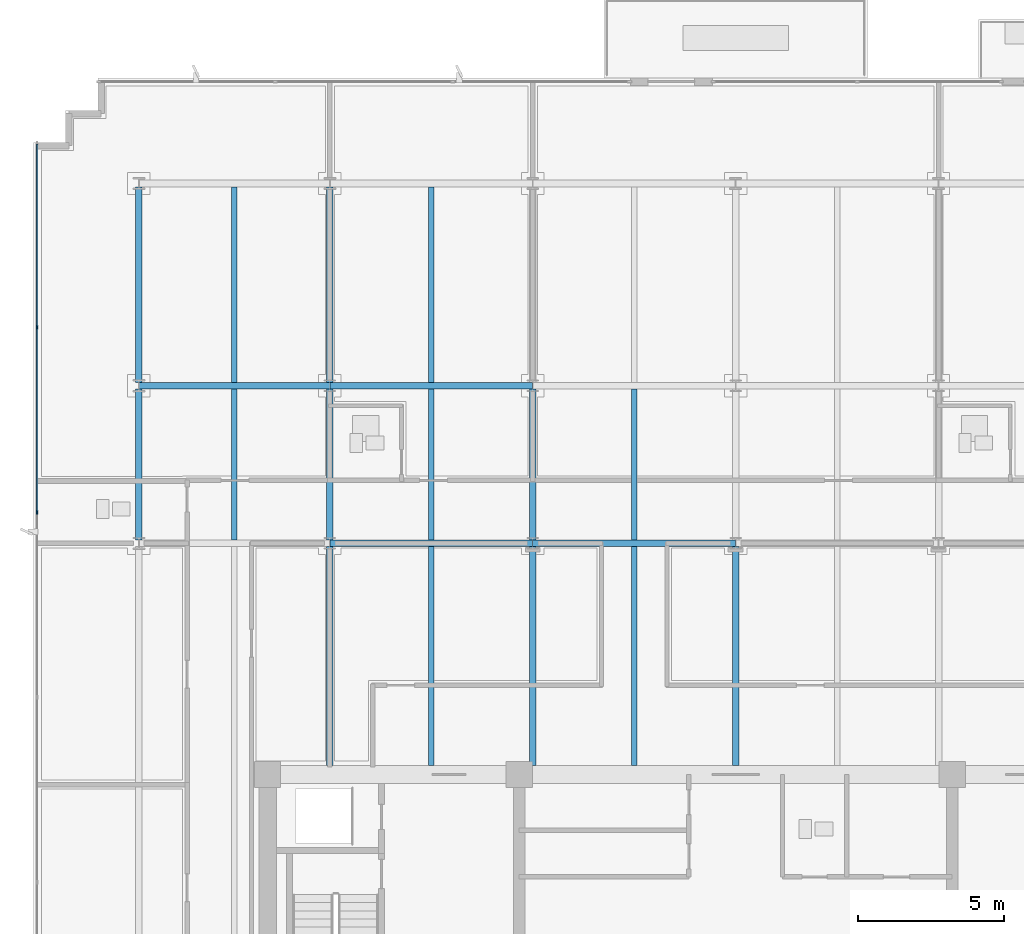
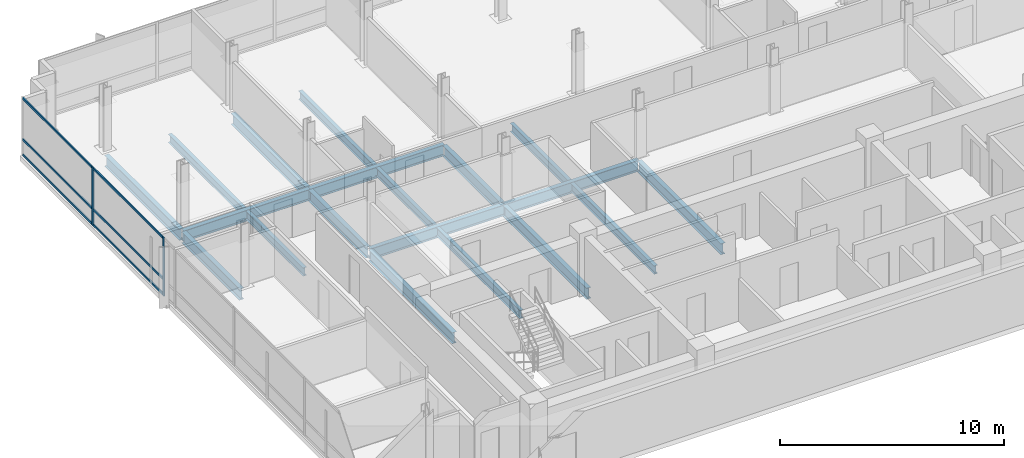
# One storey, part 4 of 19: 19 beams, 8 members, 1 element without a shape of its own.
"""IFC4 building model written with IfcOpenShell, lengths in metres."""

from ifc_helpers import new_model, si_unit, direction, frame, origin, origin_2d, place, context, subcontext, project, spatial, rectangle, i_section, extrude, material, material_profile, profile_set, type_object, element, aggregate, save


model = new_model("IFC4")

# Units and contexts
model_context = context("Model", 3, precision=1e-05, world=origin(), true_north=direction((0.0, 1.0)))
body_context = subcontext(model_context, "Body", "Model", "MODEL_VIEW")
ifc_project = project(units=[si_unit("LENGTHUNIT", "METRE"), si_unit("AREAUNIT", "SQUARE_METRE"), si_unit("VOLUMEUNIT", "CUBIC_METRE"), si_unit("PLANEANGLEUNIT", "RADIAN"), si_unit("MASSUNIT", "GRAM", prefix="KILO")], contexts=[model_context])

# Site, building, storey
site_placement = place(None, origin())
site = spatial("IfcSite", under=ifc_project, at=site_placement, CompositionType="ELEMENT")
building_placement = place(site_placement, origin())
building = spatial("IfcBuilding", under=site, at=building_placement, Name="Solmavex Isthmus Hotel", CompositionType="ELEMENT")
storey_placement = place(building_placement, frame((0.0, 0.0, 262.64990234375)))
storey = spatial("IfcBuildingStorey", under=building, at=storey_placement, Name="L71", CompositionType="ELEMENT", Elevation=262.64990234375)

# Beams
ifc_material_1 = material(Name="Steel ASTM A992 Grade 50", Category="steel")
ifc_material_profile_1 = material_profile(ifc_material_1, i_section(OverallWidth=0.1904296875, OverallDepth=0.456787109375, WebThickness=0.009033203125, FlangeThickness=0.014404296875, FilletRadius=0.0126953125, at=origin_2d()), Name="W18X50")
ifc_profile_set_1 = profile_set([ifc_material_profile_1], Name="Steel ASTM A992 Grade 50")
beam_type_1 = type_object("IfcBeamType", Name="BM-BJ-W18X50", PredefinedType="JOIST", material=ifc_profile_set_1)
beam_1_placement = place(storey_placement, frame((-17.135986328125, 5.513916015625, -0.48828125), z_axis=(0.0, 1.0, 0.0), x_axis=(-1.0, 0.0, 0.0)))
element("IfcBeam", 1, at=beam_1_placement, inside=storey, type_object=beam_type_1, Name="Secondary Floor Joist L71-J02", PredefinedType="JOIST", context=body_context, shape_type="SweptSolid", body=[
    extrude(i_section(OverallWidth=0.1904296875, OverallDepth=0.456787109375, WebThickness=0.009033203125, FlangeThickness=0.014404296875, FilletRadius=0.0126953125, at=origin_2d()), origin(), (0.0, 0.0, 1.0), 5.16015625),
])
beam_2_placement = place(storey_placement, frame((-17.135986328125, 10.90185546875, -0.48828125), z_axis=(0.0, 1.0, 0.0), x_axis=(-1.0, 0.0, 0.0)))
element("IfcBeam", 2, at=beam_2_placement, inside=storey, type_object=beam_type_1, Name="Secondary Floor Joist L71-J03", PredefinedType="JOIST", context=body_context, shape_type="SweptSolid", body=[
    extrude(i_section(OverallWidth=0.1904296875, OverallDepth=0.456787109375, WebThickness=0.009033203125, FlangeThickness=0.014404296875, FilletRadius=0.0126953125, at=origin_2d()), origin(), (0.0, 0.0, 1.0), 6.682861328125),
])
beam_3_placement = place(storey_placement, frame((-10.404052734375, -2.199951171875, -0.48828125), z_axis=(0.0, 1.0, 0.0), x_axis=(-1.0, 0.0, 0.0)))
element("IfcBeam", 3, at=beam_3_placement, inside=storey, type_object=beam_type_1, Name="Secondary Floor Joist L71-J04", PredefinedType="JOIST", context=body_context, shape_type="SweptSolid", body=[
    extrude(i_section(OverallWidth=0.1904296875, OverallDepth=0.456787109375, WebThickness=0.009033203125, FlangeThickness=0.014404296875, FilletRadius=0.0126953125, at=origin_2d()), origin(), (0.0, 0.0, 1.0), 7.486083984375),
])
beam_4_placement = place(storey_placement, frame((-10.404052734375, 5.513916015625, -0.48828125), z_axis=(0.0, 1.0, 0.0), x_axis=(-1.0, 0.0, 0.0)))
element("IfcBeam", 4, at=beam_4_placement, inside=storey, type_object=beam_type_1, Name="Secondary Floor Joist L71-J05", PredefinedType="JOIST", context=body_context, shape_type="SweptSolid", body=[
    extrude(i_section(OverallWidth=0.1904296875, OverallDepth=0.456787109375, WebThickness=0.009033203125, FlangeThickness=0.014404296875, FilletRadius=0.0126953125, at=origin_2d()), origin(), (0.0, 0.0, 1.0), 5.16015625),
])
beam_5_placement = place(storey_placement, frame((-10.404052734375, 10.90185546875, -0.48828125), z_axis=(0.0, 1.0, 0.0), x_axis=(-1.0, 0.0, 0.0)))
element("IfcBeam", 5, at=beam_5_placement, inside=storey, type_object=beam_type_1, Name="Secondary Floor Joist L71-J06", PredefinedType="JOIST", context=body_context, shape_type="SweptSolid", body=[
    extrude(i_section(OverallWidth=0.1904296875, OverallDepth=0.456787109375, WebThickness=0.009033203125, FlangeThickness=0.014404296875, FilletRadius=0.0126953125, at=origin_2d()), origin(), (0.0, 0.0, 1.0), 6.682861328125),
])
beam_6_placement = place(storey_placement, frame((-3.468017578125, -2.199951171875, -0.48828125), z_axis=(0.0, 1.0, 0.0), x_axis=(-1.0, 0.0, 0.0)))
element("IfcBeam", 6, at=beam_6_placement, inside=storey, type_object=beam_type_1, Name="Secondary Floor Joist L71-J07", PredefinedType="JOIST", context=body_context, shape_type="SweptSolid", body=[
    extrude(i_section(OverallWidth=0.1904296875, OverallDepth=0.456787109375, WebThickness=0.009033203125, FlangeThickness=0.014404296875, FilletRadius=0.0126953125, at=origin_2d()), origin(), (0.0, 0.0, 1.0), 7.486083984375),
])
beam_7_placement = place(storey_placement, frame((-3.468017578125, 5.513916015625, -0.48828125), z_axis=(0.0, 1.0, 0.0), x_axis=(-1.0, 0.0, 0.0)))
element("IfcBeam", 7, at=beam_7_placement, inside=storey, type_object=beam_type_1, Name="Secondary Floor Joist L71-J08", PredefinedType="JOIST", context=body_context, shape_type="SweptSolid", body=[
    extrude(i_section(OverallWidth=0.1904296875, OverallDepth=0.456787109375, WebThickness=0.009033203125, FlangeThickness=0.014404296875, FilletRadius=0.0126953125, at=origin_2d()), origin(), (0.0, 0.0, 1.0), 5.16015625),
])
ifc_material_profile_2 = material_profile(ifc_material_1, i_section(OverallWidth=0.227783203125, OverallDepth=0.602783203125, WebThickness=0.010498046875, FlangeThickness=0.014892578125, FilletRadius=0.01513671875, at=origin_2d()), Name="W24X68")
ifc_profile_set_2 = profile_set([ifc_material_profile_2], Name="Steel ASTM A992 Grade 50")
beam_type_2 = type_object("IfcBeamType", Name="BM-BM-W24X68", PredefinedType="BEAM", material=ifc_profile_set_2)
for number, where, z_axis, x_axis, name in (
    (8, (-13.8720703125, 5.39990234375, -0.561279296875), (1.0, 0.0, 0.0), (0.0, 1.0, 0.0), "Floor Girder L71-UG04"),
    (9, (-6.93603515625, 5.39990234375, -0.561279296875), (1.0, 0.0, 0.0), (0.0, 1.0, 0.0), "Floor Girder L71-UG05"),
):
    element("IfcBeam", number, at=place(storey_placement, frame(where, z_axis=z_axis, x_axis=x_axis)), inside=storey, type_object=beam_type_2, Name=name, PredefinedType="BEAM", context=body_context, shape_type="SweptSolid", body=[
        extrude(i_section(OverallWidth=0.227783203125, OverallDepth=0.602783203125, WebThickness=0.010498046875, FlangeThickness=0.014892578125, FilletRadius=0.01513671875, at=origin_2d()), origin(), (0.0, 0.0, 1.0), 6.93603515625),
    ])
beam_8_placement = place(storey_placement, frame((-20.39990234375, 10.7880859375, -0.561279296875), z_axis=(1.0, 0.0, 0.0), x_axis=(0.0, 1.0, 0.0)))
element("IfcBeam", 10, at=beam_8_placement, inside=storey, type_object=beam_type_2, Name="Floor Girder L71-UG09", PredefinedType="BEAM", context=body_context, shape_type="SweptSolid", body=[
    extrude(i_section(OverallWidth=0.227783203125, OverallDepth=0.602783203125, WebThickness=0.010498046875, FlangeThickness=0.014892578125, FilletRadius=0.01513671875, at=origin_2d()), origin(), (0.0, 0.0, 1.0), 6.52783203125),
])
beam_9_placement = place(storey_placement, frame((-13.8720703125, 10.7880859375, -0.561279296875), z_axis=(1.0, 0.0, 0.0), x_axis=(0.0, 1.0, 0.0)))
element("IfcBeam", 11, at=beam_9_placement, inside=storey, type_object=beam_type_2, Name="Floor Girder L71-UG10", PredefinedType="BEAM", context=body_context, shape_type="SweptSolid", body=[
    extrude(i_section(OverallWidth=0.227783203125, OverallDepth=0.602783203125, WebThickness=0.010498046875, FlangeThickness=0.014892578125, FilletRadius=0.01513671875, at=origin_2d()), origin(), (0.0, 0.0, 1.0), 6.93603515625),
])
beam_10_placement = place(storey_placement, frame((-13.8720703125, -2.199951171875, -0.561279296875), z_axis=(0.0, 1.0, 0.0), x_axis=(-1.0, 0.0, 0.0)))
element("IfcBeam", 12, at=beam_10_placement, inside=storey, type_object=beam_type_2, Name="Floor Beam L71-VG24", PredefinedType="BEAM", context=body_context, shape_type="SweptSolid", body=[
    extrude(i_section(OverallWidth=0.227783203125, OverallDepth=0.602783203125, WebThickness=0.010498046875, FlangeThickness=0.014892578125, FilletRadius=0.01513671875, at=origin_2d()), origin(), (0.0, 0.0, 1.0), 7.486083984375),
])
beam_11_placement = place(storey_placement, frame((-13.8720703125, 5.513916015625, -0.561279296875), z_axis=(0.0, 1.0, 0.0), x_axis=(-1.0, 0.0, 0.0)))
element("IfcBeam", 13, at=beam_11_placement, inside=storey, type_object=beam_type_2, Name="Floor Beam L71-VG25", PredefinedType="BEAM", context=body_context, shape_type="SweptSolid", body=[
    extrude(i_section(OverallWidth=0.227783203125, OverallDepth=0.602783203125, WebThickness=0.010498046875, FlangeThickness=0.014892578125, FilletRadius=0.01513671875, at=origin_2d()), origin(), (0.0, 0.0, 1.0), 5.16015625),
])
beam_12_placement = place(storey_placement, frame((-13.8720703125, 10.90185546875, -0.561279296875), z_axis=(0.0, 1.0, 0.0), x_axis=(-1.0, 0.0, 0.0)))
element("IfcBeam", 14, at=beam_12_placement, inside=storey, type_object=beam_type_2, Name="Floor Beam L71-VG26", PredefinedType="BEAM", context=body_context, shape_type="SweptSolid", body=[
    extrude(i_section(OverallWidth=0.227783203125, OverallDepth=0.602783203125, WebThickness=0.010498046875, FlangeThickness=0.014892578125, FilletRadius=0.01513671875, at=origin_2d()), origin(), (0.0, 0.0, 1.0), 6.682861328125),
])
beam_13_placement = place(storey_placement, frame((-6.93603515625, -2.199951171875, -0.561279296875), z_axis=(0.0, 1.0, 0.0), x_axis=(-1.0, 0.0, 0.0)))
element("IfcBeam", 15, at=beam_13_placement, inside=storey, type_object=beam_type_2, Name="Floor Beam L71-VG27", PredefinedType="BEAM", context=body_context, shape_type="SweptSolid", body=[
    extrude(i_section(OverallWidth=0.227783203125, OverallDepth=0.602783203125, WebThickness=0.010498046875, FlangeThickness=0.014892578125, FilletRadius=0.01513671875, at=origin_2d()), origin(), (0.0, 0.0, 1.0), 7.486083984375),
])
beam_14_placement = place(storey_placement, frame((-6.93603515625, 5.513916015625, -0.561279296875), z_axis=(0.0, 1.0, 0.0), x_axis=(-1.0, 0.0, 0.0)))
element("IfcBeam", 16, at=beam_14_placement, inside=storey, type_object=beam_type_2, Name="Floor Beam L71-VG28", PredefinedType="BEAM", context=body_context, shape_type="SweptSolid", body=[
    extrude(i_section(OverallWidth=0.227783203125, OverallDepth=0.602783203125, WebThickness=0.010498046875, FlangeThickness=0.014892578125, FilletRadius=0.01513671875, at=origin_2d()), origin(), (0.0, 0.0, 1.0), 5.16015625),
])
beam_15_placement = place(storey_placement, frame((0.0, -2.199951171875, -0.561279296875), z_axis=(0.0, 1.0, 0.0), x_axis=(-1.0, 0.0, 0.0)))
element("IfcBeam", 17, at=beam_15_placement, inside=storey, type_object=beam_type_2, Name="Floor Beam L71-VG30", PredefinedType="BEAM", context=body_context, shape_type="SweptSolid", body=[
    extrude(i_section(OverallWidth=0.227783203125, OverallDepth=0.602783203125, WebThickness=0.010498046875, FlangeThickness=0.014892578125, FilletRadius=0.01513671875, at=origin_2d()), origin(), (0.0, 0.0, 1.0), 7.486083984375),
])
ifc_material_profile_3 = material_profile(ifc_material_1, i_section(OverallWidth=0.230224609375, OverallDepth=0.617431640625, WebThickness=0.01318359375, FlangeThickness=0.022216796875, FilletRadius=0.01513671875, at=origin_2d()), Name="W24X94")
ifc_profile_set_3 = profile_set([ifc_material_profile_3], Name="Steel ASTM A992 Grade 50")
beam_type_3 = type_object("IfcBeamType", Name="BM-SP-W24X94", PredefinedType="SPANDREL", material=ifc_profile_set_3)
beam_16_placement = place(storey_placement, frame((-20.39990234375, 5.513916015625, -0.568603515625), z_axis=(0.0, 1.0, 0.0), x_axis=(-1.0, 0.0, 0.0)))
element("IfcBeam", 18, at=beam_16_placement, inside=storey, type_object=beam_type_3, Name="Floor Beam L71-VG22", PredefinedType="SPANDREL", context=body_context, shape_type="SweptSolid", body=[
    extrude(i_section(OverallWidth=0.230224609375, OverallDepth=0.617431640625, WebThickness=0.01318359375, FlangeThickness=0.022216796875, FilletRadius=0.01513671875, at=origin_2d()), origin(), (0.0, 0.0, 1.0), 5.16015625),
])
beam_17_placement = place(storey_placement, frame((-20.39990234375, 10.90185546875, -0.568603515625), z_axis=(0.0, 1.0, 0.0), x_axis=(-1.0, 0.0, 0.0)))
element("IfcBeam", 19, at=beam_17_placement, inside=storey, type_object=beam_type_3, Name="Floor Beam L71-VG23", PredefinedType="SPANDREL", context=body_context, shape_type="SweptSolid", body=[
    extrude(i_section(OverallWidth=0.230224609375, OverallDepth=0.617431640625, WebThickness=0.01318359375, FlangeThickness=0.022216796875, FilletRadius=0.01513671875, at=origin_2d()), origin(), (0.0, 0.0, 1.0), 6.682861328125),
])

# Curtain wall, members
ifc_material_2 = material(Name="Aluminium alloy 6063-T6", Category="aluminium")
curtain_wall_type = type_object("IfcCurtainWallType", Name="CW-SYS-06", PredefinedType="NOTDEFINED", material=ifc_material_2)
curtain_wall_placement = place(storey_placement, origin())
curtain_wall = element("IfcCurtainWall", 20, at=curtain_wall_placement, inside=storey, type_object=curtain_wall_type, Name="Stick Curtain Wall CWL-L71-W1", PredefinedType="NOTDEFINED")
ifc_material_profile_4 = material_profile(ifc_material_2, rectangle(XDim=0.06005859375, YDim=0.139892578125, at=origin_2d()), Name="CWM-60X140")
ifc_profile_set_4 = profile_set([ifc_material_profile_4], Name="Aluminium alloy 6063-T6")
member_type_1 = type_object("IfcMemberType", Name="CW-SYS-06-MUL", PredefinedType="MULLION", material=ifc_profile_set_4)
member_1_placement = place(storey_placement, frame((-23.8798828125, 6.4599609375, 0.0), z_axis=(0.0, 0.0, 1.0), x_axis=(-1.0, 0.0, 0.0)))
member_1 = element("IfcMember", 21, at=member_1_placement, type_object=member_type_1, Name="CW-06 mullion 4", PredefinedType="MULLION", context=body_context, shape_type="SweptSolid", body=[
    extrude(rectangle(XDim=0.06005859375, YDim=0.139892578125, at=origin_2d()), origin(), (0.0, 0.0, 1.0), 3.190185546875),
])
member_2_placement = place(storey_placement, frame((-23.8798828125, 12.780029296875, 0.0), z_axis=(0.0, 0.0, 1.0), x_axis=(-1.0, 0.0, 0.0)))
member_2 = element("IfcMember", 22, at=member_2_placement, type_object=member_type_1, Name="CW-06 mullion 5", PredefinedType="MULLION", context=body_context, shape_type="SweptSolid", body=[
    extrude(rectangle(XDim=0.06005859375, YDim=0.139892578125, at=origin_2d()), origin(), (0.0, 0.0, 1.0), 3.190185546875),
])
ifc_material_profile_5 = material_profile(ifc_material_2, rectangle(XDim=0.06005859375, YDim=0.114990234375, at=origin_2d()), Name="CWT-60X115")
ifc_profile_set_5 = profile_set([ifc_material_profile_5], Name="Aluminium alloy 6063-T6")
member_type_2 = type_object("IfcMemberType", Name="CW-SYS-06-TRN", PredefinedType="USERDEFINED", material=ifc_profile_set_5)
member_3_placement = place(storey_placement, frame((-23.8798828125, 6.489990234375, 0.0576171875), z_axis=(0.0, 1.0, 0.0), x_axis=(-1.0, 0.0, 0.0)))
member_3 = element("IfcMember", 23, at=member_3_placement, type_object=member_type_2, Name="CW-06 transom 4.1", ObjectType="TRANSOM", PredefinedType="USERDEFINED", context=body_context, shape_type="SweptSolid", body=[
    extrude(rectangle(XDim=0.06005859375, YDim=0.114990234375, at=origin_2d()), origin(), (0.0, 0.0, 1.0), 6.260009765625),
])
member_4_placement = place(storey_placement, frame((-23.8798828125, 6.489990234375, 0.900146484375), z_axis=(0.0, 1.0, 0.0), x_axis=(-1.0, 0.0, 0.0)))
member_4 = element("IfcMember", 24, at=member_4_placement, type_object=member_type_2, Name="CW-06 transom 4.2", ObjectType="TRANSOM", PredefinedType="USERDEFINED", context=body_context, shape_type="SweptSolid", body=[
    extrude(rectangle(XDim=0.06005859375, YDim=0.114990234375, at=origin_2d()), origin(), (0.0, 0.0, 1.0), 6.260009765625),
])
member_5_placement = place(storey_placement, frame((-23.8798828125, 6.489990234375, 3.132568359375), z_axis=(0.0, 1.0, 0.0), x_axis=(-1.0, 0.0, 0.0)))
member_5 = element("IfcMember", 25, at=member_5_placement, type_object=member_type_2, Name="CW-06 transom 4.3", ObjectType="TRANSOM", PredefinedType="USERDEFINED", context=body_context, shape_type="SweptSolid", body=[
    extrude(rectangle(XDim=0.06005859375, YDim=0.114990234375, at=origin_2d()), origin(), (0.0, 0.0, 1.0), 6.260009765625),
])
member_6_placement = place(storey_placement, frame((-23.8798828125, 12.81005859375, 0.0576171875), z_axis=(0.0, 1.0, 0.0), x_axis=(-1.0, 0.0, 0.0)))
member_6 = element("IfcMember", 26, at=member_6_placement, type_object=member_type_2, Name="CW-06 transom 5.1", ObjectType="TRANSOM", PredefinedType="USERDEFINED", context=body_context, shape_type="SweptSolid", body=[
    extrude(rectangle(XDim=0.06005859375, YDim=0.114990234375, at=origin_2d()), origin(), (0.0, 0.0, 1.0), 6.22998046875),
])
member_7_placement = place(storey_placement, frame((-23.8798828125, 12.81005859375, 0.900146484375), z_axis=(0.0, 1.0, 0.0), x_axis=(-1.0, 0.0, 0.0)))
member_7 = element("IfcMember", 27, at=member_7_placement, type_object=member_type_2, Name="CW-06 transom 5.2", ObjectType="TRANSOM", PredefinedType="USERDEFINED", context=body_context, shape_type="SweptSolid", body=[
    extrude(rectangle(XDim=0.06005859375, YDim=0.114990234375, at=origin_2d()), origin(), (0.0, 0.0, 1.0), 6.22998046875),
])
member_8_placement = place(storey_placement, frame((-23.8798828125, 12.81005859375, 3.132568359375), z_axis=(0.0, 1.0, 0.0), x_axis=(-1.0, 0.0, 0.0)))
member_8 = element("IfcMember", 28, at=member_8_placement, type_object=member_type_2, Name="CW-06 transom 5.3", ObjectType="TRANSOM", PredefinedType="USERDEFINED", context=body_context, shape_type="SweptSolid", body=[
    extrude(rectangle(XDim=0.06005859375, YDim=0.114990234375, at=origin_2d()), origin(), (0.0, 0.0, 1.0), 6.22998046875),
])
aggregate(curtain_wall, [member_1, member_2, member_3, member_4, member_5, member_6, member_7, member_8])

save(model, "model.ifc")
